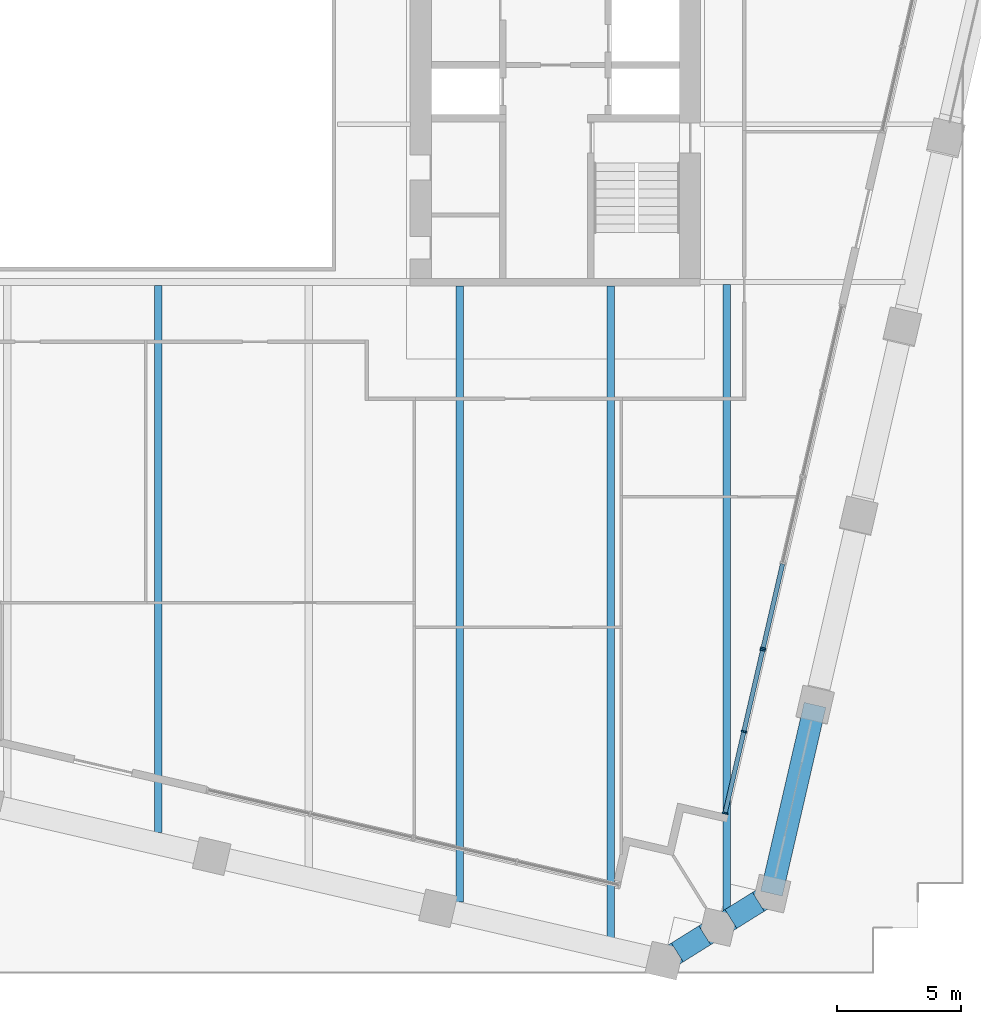
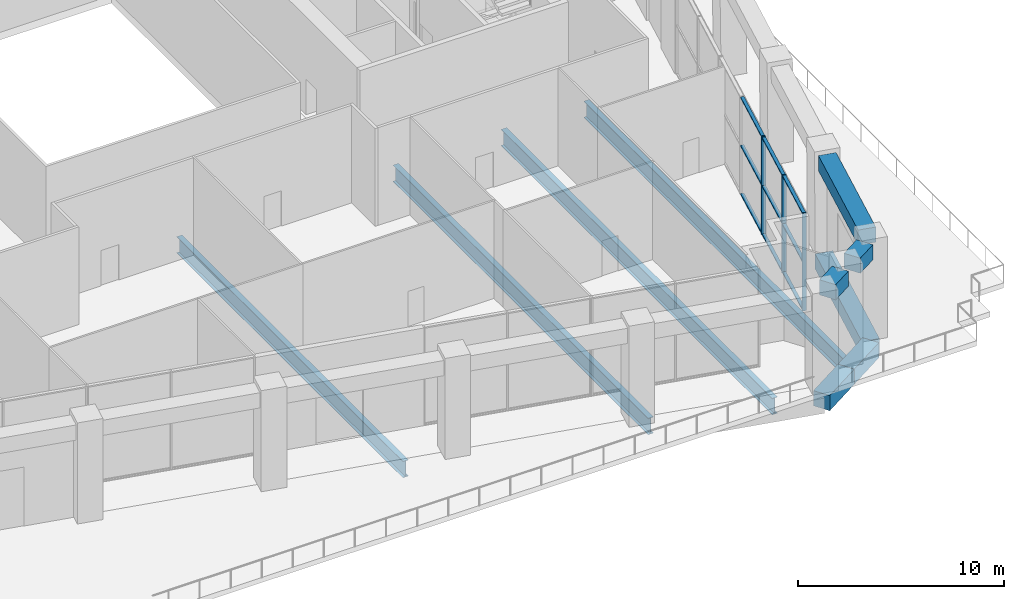
# One storey, part 4 of 23: 13 members, 10 beams, 2 elements without a shape of their own.
"""IFC4 building model written with IfcOpenShell, lengths in metres."""

from ifc_helpers import new_model, si_unit, direction, frame, origin, origin_2d, place, context, subcontext, project, spatial, rectangle, i_section, extrude, material, material_profile, profile_set, type_object, element, aggregate, save


model = new_model("IFC4")

# Units and contexts
model_context = context("Model", 3, precision=1e-05, world=origin(), true_north=direction((0.0, 1.0)))
body_context = subcontext(model_context, "Body", "Model", "MODEL_VIEW")
ifc_project = project(units=[si_unit("LENGTHUNIT", "METRE"), si_unit("AREAUNIT", "SQUARE_METRE"), si_unit("VOLUMEUNIT", "CUBIC_METRE"), si_unit("PLANEANGLEUNIT", "RADIAN"), si_unit("MASSUNIT", "GRAM", prefix="KILO")], contexts=[model_context])

# Site, building, storey
site_placement = place(None, origin())
site = spatial("IfcSite", under=ifc_project, at=site_placement, CompositionType="ELEMENT")
building_placement = place(site_placement, origin())
building = spatial("IfcBuilding", under=site, at=building_placement, Name="Ogive Exchange Tower", CompositionType="ELEMENT")
storey_placement = place(building_placement, frame((0.0, 0.0, 99.60009765625)))
storey = spatial("IfcBuildingStorey", under=building, at=storey_placement, Name="L21", CompositionType="ELEMENT", Elevation=99.60009765625)

# Beams
ifc_material_1 = material(Name="Steel ASTM A992 Gr50", Category="steel")
ifc_material_profile_1 = material_profile(ifc_material_1, i_section(OverallWidth=0.300048828125, OverallDepth=0.97998046875, WebThickness=0.0166015625, FlangeThickness=0.026123046875, at=origin_2d()), Name="W1000x249")
ifc_profile_set_1 = profile_set([ifc_material_profile_1], Name="Steel ASTM A992 Gr50")
beam_type_1 = type_object("IfcBeamType", Name="Floor beam W1000x249", PredefinedType="JOIST", material=ifc_profile_set_1)
beam_1_placement = place(storey_placement, frame((0.0, -24.7509765625, -0.940185546875), z_axis=(0.0, 1.0, 0.0), x_axis=(-1.0, 0.0, 0.0)))
element("IfcBeam", 1, at=beam_1_placement, inside=storey, type_object=beam_type_1, Name="Floor beam", PredefinedType="JOIST", context=body_context, shape_type="SweptSolid", body=[
    extrude(i_section(OverallWidth=0.300048828125, OverallDepth=0.97998046875, WebThickness=0.0166015625, FlangeThickness=0.026123046875, at=origin_2d()), origin(), (0.0, 0.0, 1.0), 22.005859375),
])
beam_2_placement = place(storey_placement, frame((12.146728515625, -27.555419921875, -0.940185546875), z_axis=(0.0, 1.0, 0.0), x_axis=(-1.0, 0.0, 0.0)))
element("IfcBeam", 2, at=beam_2_placement, inside=storey, type_object=beam_type_1, Name="Floor beam", PredefinedType="JOIST", context=body_context, shape_type="SweptSolid", body=[
    extrude(i_section(OverallWidth=0.300048828125, OverallDepth=0.97998046875, WebThickness=0.0166015625, FlangeThickness=0.026123046875, at=origin_2d()), origin(), (0.0, 0.0, 1.0), 24.805419921875),
])
beam_3_placement = place(storey_placement, frame((18.22021484375, -29.107421875, -0.940185546875), z_axis=(0.0, 1.0, 0.0), x_axis=(-1.0, 0.0, 0.0)))
element("IfcBeam", 3, at=beam_3_placement, inside=storey, type_object=beam_type_1, Name="Floor beam", PredefinedType="JOIST", context=body_context, shape_type="SweptSolid", body=[
    extrude(i_section(OverallWidth=0.300048828125, OverallDepth=0.97998046875, WebThickness=0.0166015625, FlangeThickness=0.026123046875, at=origin_2d()), origin(), (0.0, 0.0, 1.0), 26.357421875),
])
beam_4_placement = place(storey_placement, frame((22.8935546875, -27.966796875, -0.940185546875), z_axis=(0.0, 1.0, 0.0), x_axis=(-1.0, 0.0, 0.0)))
element("IfcBeam", 4, at=beam_4_placement, inside=storey, type_object=beam_type_1, Name="Floor beam", PredefinedType="JOIST", context=body_context, shape_type="SweptSolid", body=[
    extrude(i_section(OverallWidth=0.300048828125, OverallDepth=0.97998046875, WebThickness=0.0166015625, FlangeThickness=0.026123046875, at=origin_2d()), origin(), (0.0, 0.0, 1.0), 25.27587890625),
])
ifc_material_2 = material(Name="Precast concrete C70/85 (limestone faced)", Category="masonry")
ifc_material_profile_2 = material_profile(ifc_material_2, rectangle(XDim=0.89990234375, YDim=0.89990234375, at=origin_2d()), Name="900 x 900")
ifc_profile_set_2 = profile_set([ifc_material_profile_2], Name="Precast concrete C70/85 (limestone faced)")
beam_type_2 = type_object("IfcBeamType", Name="Precast spandrel 900 x 900 C70/85", PredefinedType="SPANDREL", material=ifc_profile_set_2)
for number, where, z_axis, x_axis, name in (
    (5, (20.9052734375, -29.58984375, 5.2998046875), (0.848040277303, 0.529931776808, 0.0), (-0.529931776808, 0.848040277303, 0.0), "Spandrel 7"),
    (6, (23.06396484375, -28.24072265625, 5.2998046875), (0.848092721491, 0.529847842077, 0.0), (-0.529847842077, 0.848092721491, 0.0), "Spandrel 8"),
):
    element("IfcBeam", number, at=place(storey_placement, frame(where, z_axis=z_axis, x_axis=x_axis)), inside=storey, type_object=beam_type_2, Name=name, PredefinedType="SPANDREL", context=body_context, shape_type="SweptSolid", body=[
        extrude(rectangle(XDim=0.89990234375, YDim=0.89990234375, at=origin_2d()), origin(), (0.0, 0.0, 1.0), 1.30712890625),
    ])
beam_5_placement = place(storey_placement, frame((24.83935546875, -26.606201171875, 5.2998046875), z_axis=(0.224953802524, 0.974369430314, 0.0), x_axis=(-0.974369430314, 0.224953802524, 0.0)))
element("IfcBeam", 7, at=beam_5_placement, inside=storey, type_object=beam_type_2, Name="Spandrel 9", PredefinedType="SPANDREL", context=body_context, shape_type="SweptSolid", body=[
    extrude(rectangle(XDim=0.89990234375, YDim=0.89990234375, at=origin_2d()), origin(), (0.0, 0.0, 1.0), 6.6181640625),
])
ifc_material_profile_3 = material_profile(ifc_material_2, rectangle(XDim=0.89990234375, YDim=0.89990234375, at=origin_2d()), Name="900 x 900")
ifc_profile_set_3 = profile_set([ifc_material_profile_3], Name="Precast concrete C70/85 (limestone faced)")
beam_type_3 = type_object("IfcBeamType", Name="Precast transfer girder 900 x 900 C70/85", PredefinedType="BEAM", material=ifc_profile_set_3)
beam_6_placement = place(storey_placement, frame((20.380126953125, -29.91796875, -0.900146484375), z_axis=(0.848052182659, 0.529912724405, 0.0), x_axis=(-0.529912724405, 0.848052182659, 0.0)))
element("IfcBeam", 8, at=beam_6_placement, inside=storey, type_object=beam_type_3, Name="Transfer girder 7", PredefinedType="BEAM", context=body_context, shape_type="SweptSolid", body=[
    extrude(rectangle(XDim=0.89990234375, YDim=0.89990234375, at=origin_2d()), origin(), (0.0, 0.0, 1.0), 2.54541015625),
])
beam_7_placement = place(storey_placement, frame((22.538818359375, -28.569091796875, -0.900146484375), z_axis=(0.848009079889, 0.529981698198, 0.0), x_axis=(-0.529981698198, 0.848009079889, 0.0)))
element("IfcBeam", 9, at=beam_7_placement, inside=storey, type_object=beam_type_3, Name="Transfer girder 8", PredefinedType="BEAM", context=body_context, shape_type="SweptSolid", body=[
    extrude(rectangle(XDim=0.89990234375, YDim=0.89990234375, at=origin_2d()), origin(), (0.0, 0.0, 1.0), 2.545654296875),
])
beam_8_placement = place(storey_placement, frame((24.697509765625, -27.219970703125, -0.900146484375), z_axis=(0.224982945669, 0.974362701543, 0.0), x_axis=(-0.974362701543, 0.224982945669, 0.0)))
element("IfcBeam", 10, at=beam_8_placement, inside=storey, type_object=beam_type_3, Name="Transfer girder 9", PredefinedType="BEAM", context=body_context, shape_type="SweptSolid", body=[
    extrude(rectangle(XDim=0.89990234375, YDim=0.89990234375, at=origin_2d()), origin(), (0.0, 0.0, 1.0), 7.800048828125),
])

# Curtain wall, members
ifc_material_3 = material(Name="Anodised aluminium and clear glass", Category="aluminium")
curtain_wall_type = type_object("IfcCurtainWallType", Name="Sky lobby glazing", PredefinedType="NOTDEFINED", material=ifc_material_3)
curtain_wall_1_placement = place(storey_placement, origin())
curtain_wall_1 = element("IfcCurtainWall", 11, at=curtain_wall_1_placement, inside=storey, type_object=curtain_wall_type, Name="Sky lobby glazing run G7", PredefinedType="NOTDEFINED")
ifc_material_4 = material(Name="Anodised aluminium", Category="aluminium")
ifc_material_profile_4 = material_profile(ifc_material_4, rectangle(XDim=0.219970703125, YDim=0.070068359375, at=origin_2d()), Name="AL 70x220")
ifc_profile_set_4 = profile_set([ifc_material_profile_4], Name="Anodised aluminium")
member_type_1 = type_object("IfcMemberType", Name="Sky lobby glazing mullion 70 x 220", PredefinedType="MULLION", material=ifc_profile_set_4)
member_1_placement = place(storey_placement, frame((22.828369140625, -23.9814453125, 0.0), z_axis=(0.0, 0.0, 1.0), x_axis=(-0.974369920963, 0.224951677306, 0.0)))
member_1 = element("IfcMember", 12, at=member_1_placement, type_object=member_type_1, Name="G7 mullion 1", PredefinedType="MULLION", context=body_context, shape_type="SweptSolid", body=[
    extrude(rectangle(XDim=0.219970703125, YDim=0.070068359375, at=origin_2d()), origin(), (0.0, 0.0, 1.0), 5.7998046875),
])
member_2_placement = place(storey_placement, frame((23.5869140625, -20.69580078125, 0.0), z_axis=(0.0, 0.0, 1.0), x_axis=(-0.974369920963, 0.224951677306, 0.0)))
member_2 = element("IfcMember", 13, at=member_2_placement, type_object=member_type_1, Name="G7 mullion 2", PredefinedType="MULLION", context=body_context, shape_type="SweptSolid", body=[
    extrude(rectangle(XDim=0.219970703125, YDim=0.070068359375, at=origin_2d()), origin(), (0.0, 0.0, 1.0), 5.7998046875),
])
member_3_placement = place(storey_placement, frame((24.345458984375, -17.409912109375, 0.0), z_axis=(0.0, 0.0, 1.0), x_axis=(-0.974369920963, 0.224951677306, 0.0)))
member_3 = element("IfcMember", 14, at=member_3_placement, type_object=member_type_1, Name="G7 mullion 3", PredefinedType="MULLION", context=body_context, shape_type="SweptSolid", body=[
    extrude(rectangle(XDim=0.219970703125, YDim=0.070068359375, at=origin_2d()), origin(), (0.0, 0.0, 1.0), 5.7998046875),
])

# Curtain wall, member
curtain_wall_2_placement = place(storey_placement, origin())
curtain_wall_2 = element("IfcCurtainWall", 15, at=curtain_wall_2_placement, inside=storey, type_object=curtain_wall_type, Name="Sky lobby glazing run G8", PredefinedType="NOTDEFINED")
member_4_placement = place(storey_placement, frame((24.361083984375, -17.341796875, 0.0), z_axis=(0.0, 0.0, 1.0), x_axis=(-0.974371765874, 0.224943685993, 0.0)))
member_4 = element("IfcMember", 16, at=member_4_placement, type_object=member_type_1, Name="G8 mullion 1", PredefinedType="MULLION", context=body_context, shape_type="SweptSolid", body=[
    extrude(rectangle(XDim=0.219970703125, YDim=0.070068359375, at=origin_2d()), origin(), (0.0, 0.0, 1.0), 5.7998046875),
])

# Member
ifc_material_profile_5 = material_profile(ifc_material_4, rectangle(XDim=0.179931640625, YDim=0.070068359375, at=origin_2d()), Name="AL 70x180")
ifc_profile_set_5 = profile_set([ifc_material_profile_5], Name="Anodised aluminium")
member_type_2 = type_object("IfcMemberType", Name="Sky lobby glazing transom 70 x 180", PredefinedType="USERDEFINED", material=ifc_profile_set_5)
member_5_placement = place(storey_placement, frame((22.836181640625, -23.947509765625, 0.034912109375), z_axis=(0.224891902412, 0.974383719194, 0.0), x_axis=(-0.974383719194, 0.224891902412, 0.0)))
member_5 = element("IfcMember", 17, at=member_5_placement, type_object=member_type_2, Name="G7 transom 1.1", ObjectType="TRANSOM", PredefinedType="USERDEFINED", context=body_context, shape_type="SweptSolid", body=[
    extrude(rectangle(XDim=0.179931640625, YDim=0.070068359375, at=origin_2d()), origin(), (0.0, 0.0, 1.0), 3.30224609375),
])

member_6_placement = place(storey_placement, frame((22.836181640625, -23.947509765625, 2.89990234375), z_axis=(0.224891902412, 0.974383719194, 0.0), x_axis=(-0.974383719194, 0.224891902412, 0.0)))
member_6 = element("IfcMember", 18, at=member_6_placement, type_object=member_type_2, Name="G7 transom 1.2", ObjectType="TRANSOM", PredefinedType="USERDEFINED", context=body_context, shape_type="SweptSolid", body=[
    extrude(rectangle(XDim=0.179931640625, YDim=0.070068359375, at=origin_2d()), origin(), (0.0, 0.0, 1.0), 3.30224609375),
])

member_7_placement = place(storey_placement, frame((22.836181640625, -23.947509765625, 5.764892578125), z_axis=(0.224891902412, 0.974383719194, 0.0), x_axis=(-0.974383719194, 0.224891902412, 0.0)))
member_7 = element("IfcMember", 19, at=member_7_placement, type_object=member_type_2, Name="G7 transom 1.3", ObjectType="TRANSOM", PredefinedType="USERDEFINED", context=body_context, shape_type="SweptSolid", body=[
    extrude(rectangle(XDim=0.179931640625, YDim=0.070068359375, at=origin_2d()), origin(), (0.0, 0.0, 1.0), 3.30224609375),
])

member_8_placement = place(storey_placement, frame((23.5947265625, -20.66162109375, 0.034912109375), z_axis=(0.224978296346, 0.974363775072, 0.0), x_axis=(-0.974363775072, 0.224978296346, 0.0)))
member_8 = element("IfcMember", 20, at=member_8_placement, type_object=member_type_2, Name="G7 transom 2.1", ObjectType="TRANSOM", PredefinedType="USERDEFINED", context=body_context, shape_type="SweptSolid", body=[
    extrude(rectangle(XDim=0.179931640625, YDim=0.070068359375, at=origin_2d()), origin(), (0.0, 0.0, 1.0), 3.30224609375),
])

member_9_placement = place(storey_placement, frame((23.5947265625, -20.66162109375, 2.89990234375), z_axis=(0.224978296346, 0.974363775072, 0.0), x_axis=(-0.974363775072, 0.224978296346, 0.0)))
member_9 = element("IfcMember", 21, at=member_9_placement, type_object=member_type_2, Name="G7 transom 2.2", ObjectType="TRANSOM", PredefinedType="USERDEFINED", context=body_context, shape_type="SweptSolid", body=[
    extrude(rectangle(XDim=0.179931640625, YDim=0.070068359375, at=origin_2d()), origin(), (0.0, 0.0, 1.0), 3.30224609375),
])

member_10_placement = place(storey_placement, frame((23.5947265625, -20.66162109375, 5.764892578125), z_axis=(0.224978296346, 0.974363775072, 0.0), x_axis=(-0.974363775072, 0.224978296346, 0.0)))
member_10 = element("IfcMember", 22, at=member_10_placement, type_object=member_type_2, Name="G7 transom 2.3", ObjectType="TRANSOM", PredefinedType="USERDEFINED", context=body_context, shape_type="SweptSolid", body=[
    extrude(rectangle(XDim=0.179931640625, YDim=0.070068359375, at=origin_2d()), origin(), (0.0, 0.0, 1.0), 3.30224609375),
])

aggregate(curtain_wall_1, [member_1, member_2, member_3, member_5, member_6, member_7, member_8, member_9, member_10])

member_11_placement = place(storey_placement, frame((24.369140625, -17.3076171875, 0.034912109375), z_axis=(0.224905994326, 0.974380466613, 0.0), x_axis=(-0.974380466613, 0.224905994326, 0.0)))
member_11 = element("IfcMember", 23, at=member_11_placement, type_object=member_type_2, Name="G8 transom 1.1", ObjectType="TRANSOM", PredefinedType="USERDEFINED", context=body_context, shape_type="SweptSolid", body=[
    extrude(rectangle(XDim=0.179931640625, YDim=0.070068359375, at=origin_2d()), origin(), (0.0, 0.0, 1.0), 3.451904296875),
])

member_12_placement = place(storey_placement, frame((24.369140625, -17.3076171875, 2.89990234375), z_axis=(0.224905994326, 0.974380466613, 0.0), x_axis=(-0.974380466613, 0.224905994326, 0.0)))
member_12 = element("IfcMember", 24, at=member_12_placement, type_object=member_type_2, Name="G8 transom 1.2", ObjectType="TRANSOM", PredefinedType="USERDEFINED", context=body_context, shape_type="SweptSolid", body=[
    extrude(rectangle(XDim=0.179931640625, YDim=0.070068359375, at=origin_2d()), origin(), (0.0, 0.0, 1.0), 3.451904296875),
])

member_13_placement = place(storey_placement, frame((24.369140625, -17.3076171875, 5.764892578125), z_axis=(0.224905994326, 0.974380466613, 0.0), x_axis=(-0.974380466613, 0.224905994326, 0.0)))
member_13 = element("IfcMember", 25, at=member_13_placement, type_object=member_type_2, Name="G8 transom 1.3", ObjectType="TRANSOM", PredefinedType="USERDEFINED", context=body_context, shape_type="SweptSolid", body=[
    extrude(rectangle(XDim=0.179931640625, YDim=0.070068359375, at=origin_2d()), origin(), (0.0, 0.0, 1.0), 3.451904296875),
])

aggregate(curtain_wall_2, [member_4, member_11, member_12, member_13])

save(model, "model.ifc")
